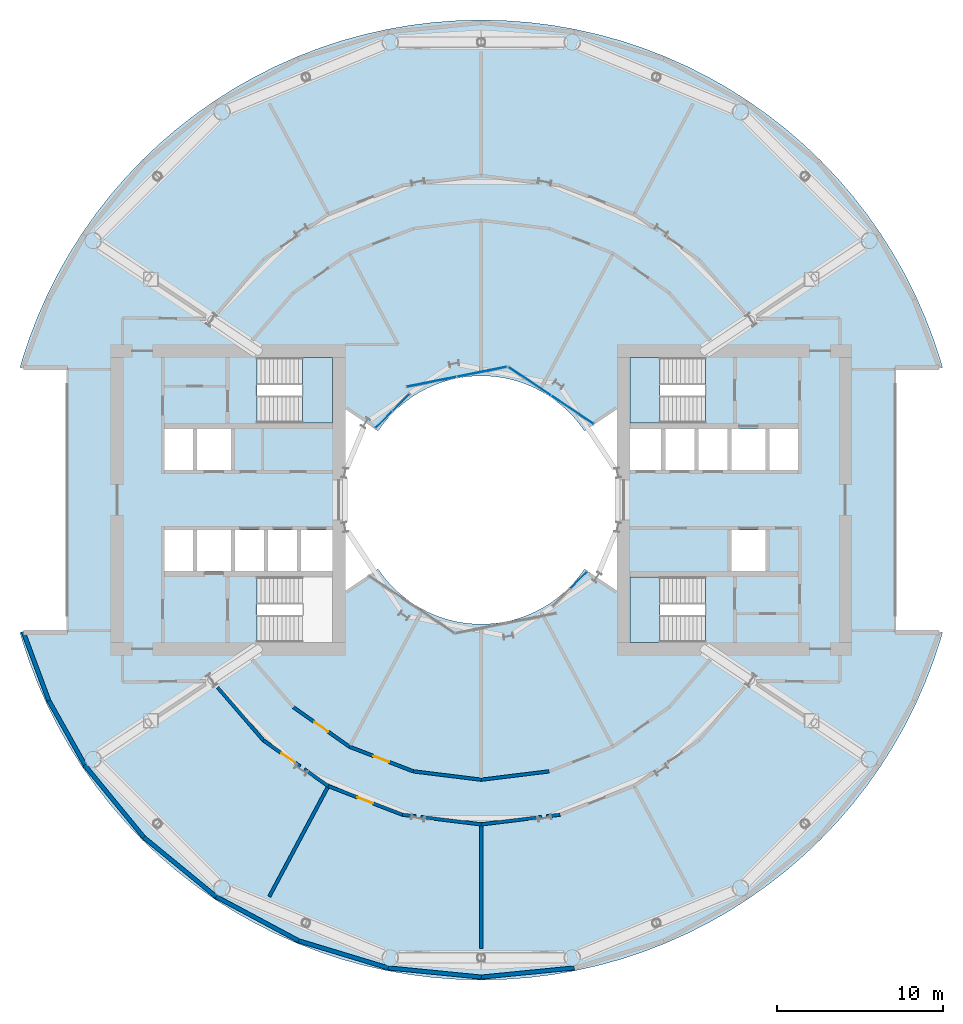
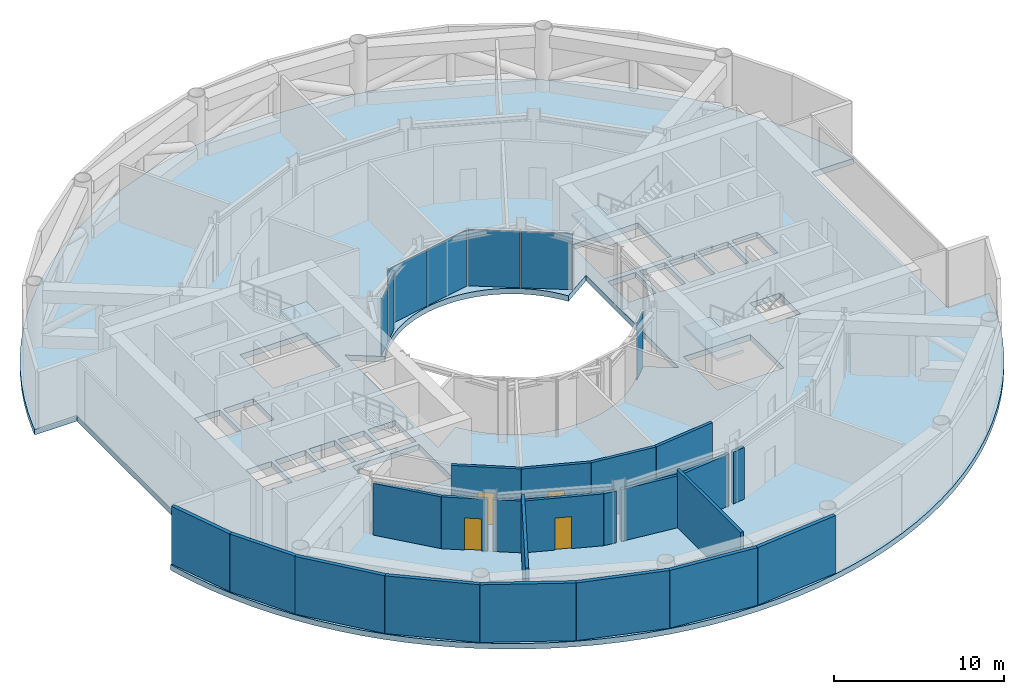
# One storey, part 9 of 15: 22 walls, 7 plates, 4 doors, 4 slabs, 4 openings, 7 elements without a shape of their own.
"""IFC4 building model written with IfcOpenShell, lengths in metres."""

from ifc_helpers import new_model, si_unit, direction, frame, frame_2d, origin, origin_2d, place, context, subcontext, project, spatial, polyline, rectangle, outline, extrude, material, layer, layer_set, type_object, element, fill, aggregate, save


model = new_model("IFC4")

# Units and contexts
model_context = context("Model", 3, precision=1e-05, world=origin(), true_north=direction((0.0, 1.0)))
body_context = subcontext(model_context, "Body", "Model", "MODEL_VIEW")
ifc_project = project(units=[si_unit("LENGTHUNIT", "METRE"), si_unit("AREAUNIT", "SQUARE_METRE"), si_unit("VOLUMEUNIT", "CUBIC_METRE"), si_unit("PLANEANGLEUNIT", "RADIAN"), si_unit("MASSUNIT", "GRAM", prefix="KILO")], contexts=[model_context])

# Site, building, storey
site_placement = place(None, origin())
site = spatial("IfcSite", under=ifc_project, at=site_placement, CompositionType="ELEMENT")
building_placement = place(site_placement, origin())
building = spatial("IfcBuilding", under=site, at=building_placement, Name="Maasbend Ring Residences", CompositionType="ELEMENT")
storey_placement = place(building_placement, frame((0.0, 0.0, 18.300048828125)))
storey = spatial("IfcBuildingStorey", under=building, at=storey_placement, Name="L04", CompositionType="ELEMENT", Elevation=18.300048828125)

# Stair, slab
ifc_material_1 = material(Name="Concrete C40/50", Category="concrete")
stair_type = type_object("IfcStairType", Name="CORE STAIR 24 RISERS", PredefinedType="HALF_TURN_STAIR", material=ifc_material_1)
stair_1_placement = place(storey_placement, origin())
stair_1 = element("IfcStair", 1, at=stair_1_placement, inside=storey, type_object=stair_type, Name="L04 Exit stair ST-E1", PredefinedType="HALF_TURN_STAIR")
ifc_material_2 = material(Name="Concrete C40/50", Category="concrete")
ifc_layer_1 = layer(ifc_material_2, 0.199951171875)
ifc_layer_set_1 = layer_set([ifc_layer_1], Name="Concrete C40/50")
slab_type_1 = type_object("IfcSlabType", Name="CORE STAIR LANDING 200", PredefinedType="LANDING", material=ifc_layer_set_1)
slab_1_placement = place(storey_placement, frame((0.0, 0.0, 2.050048828125)))
slab_1 = element("IfcSlab", 2, at=slab_1_placement, type_object=slab_type_1, Name="ST-E1 landing 1", PredefinedType="LANDING", context=body_context, shape_type="SweptSolid", body=[
    extrude(outline(polyline([(10.800048828125, 8.60009765625), (9.0, 8.60009765625), (9.0, 4.64990234375), (10.800048828125, 4.64990234375), (10.800048828125, 8.60009765625)])), origin(), (0.0, 0.0, 1.0), 0.199951171875),
])
aggregate(stair_1, [slab_1])

stair_2_placement = place(storey_placement, origin())
stair_2 = element("IfcStair", 3, at=stair_2_placement, inside=storey, type_object=stair_type, Name="L04 Exit stair ST-E2", PredefinedType="HALF_TURN_STAIR")
slab_2_placement = place(storey_placement, frame((0.0, 0.0, 2.050048828125)))
slab_2 = element("IfcSlab", 4, at=slab_2_placement, type_object=slab_type_1, Name="ST-E2 landing 1", PredefinedType="LANDING", context=body_context, shape_type="SweptSolid", body=[
    extrude(outline(polyline([(10.800048828125, -4.64990234375), (9.0, -4.64990234375), (9.0, -8.60009765625), (10.800048828125, -8.60009765625), (10.800048828125, -4.64990234375)])), origin(), (0.0, 0.0, 1.0), 0.199951171875),
])
aggregate(stair_2, [slab_2])

stair_3_placement = place(storey_placement, origin())
stair_3 = element("IfcStair", 5, at=stair_3_placement, inside=storey, type_object=stair_type, Name="L04 Exit stair ST-W2", PredefinedType="HALF_TURN_STAIR")
slab_3_placement = place(storey_placement, frame((0.0, 0.0, 2.050048828125)))
slab_3 = element("IfcSlab", 6, at=slab_3_placement, type_object=slab_type_1, Name="ST-W2 landing 1", PredefinedType="LANDING", context=body_context, shape_type="SweptSolid", body=[
    extrude(outline(polyline([(-10.800048828125, 4.64990234375), (-9.0, 4.64990234375), (-9.0, 8.60009765625), (-10.800048828125, 8.60009765625), (-10.800048828125, 4.64990234375)])), origin(), (0.0, 0.0, 1.0), 0.199951171875),
])
aggregate(stair_3, [slab_3])

# Curtain wall, plates
ifc_material_3 = material(Name="Aluminium and clear glass", Category="aluminium")
ifc_layer_2 = layer(ifc_material_3, 0.179931640625)
ifc_layer_set_2 = layer_set([ifc_layer_2], Name="CW-W")
curtain_wall_type = type_object("IfcCurtainWallType", Name="CW-W", PredefinedType="NOTDEFINED", material=ifc_layer_set_2)
curtain_wall_1_placement = place(storey_placement, origin())
curtain_wall_1 = element("IfcCurtainWall", 7, at=curtain_wall_1_placement, inside=storey, type_object=curtain_wall_type, Name="Well curtain wall N1", PredefinedType="NOTDEFINED")
ifc_material_4 = material(Name="Glass clear laminated", Category="glass")
ifc_layer_3 = layer(ifc_material_4, 0.031982421875)
ifc_layer_set_3 = layer_set([ifc_layer_3], Name="CWP-W")
plate_type = type_object("IfcPlateType", Name="CWP-W", PredefinedType="CURTAIN_PANEL", material=ifc_layer_set_3)
plate_1_placement = place(storey_placement, frame((5.51123046875, 5.44580078125, 0.0), z_axis=(0.0, 0.0, 1.0), x_axis=(-0.831469612303, 0.55557023302, 0.0)))
plate_1 = element("IfcPlate", 8, at=plate_1_placement, type_object=plate_type, Name="Glass panel well face", PredefinedType="CURTAIN_PANEL", context=body_context, shape_type="SweptSolid", body=[
    extrude(rectangle(XDim=3.053955078125, YDim=0.031982421875, at=origin_2d()), origin(), (0.0, 0.0, 1.0), 4.030029296875),
])
plate_2_placement = place(storey_placement, frame((2.922119140625, 7.17578125, 0.0), z_axis=(0.0, 0.0, 1.0), x_axis=(-0.831469612303, 0.55557023302, 0.0)))
plate_2 = element("IfcPlate", 9, at=plate_2_placement, type_object=plate_type, Name="Glass panel well face", PredefinedType="CURTAIN_PANEL", context=body_context, shape_type="SweptSolid", body=[
    extrude(rectangle(XDim=3.053955078125, YDim=0.031982421875, at=origin_2d()), origin(), (0.0, 0.0, 1.0), 4.030029296875),
])
aggregate(curtain_wall_1, [plate_1, plate_2])

curtain_wall_2_placement = place(storey_placement, origin())
curtain_wall_2 = element("IfcCurtainWall", 10, at=curtain_wall_2_placement, inside=storey, type_object=curtain_wall_type, Name="Well curtain wall N2", PredefinedType="NOTDEFINED")
plate_3_placement = place(storey_placement, frame((0.04638671875, 7.747802734375, 0.0), z_axis=(0.0, 0.0, 1.0), x_axis=(-0.980785280403, -0.195090322016, 0.0)))
plate_3 = element("IfcPlate", 11, at=plate_3_placement, type_object=plate_type, Name="Glass panel well face", PredefinedType="CURTAIN_PANEL", context=body_context, shape_type="SweptSolid", body=[
    extrude(rectangle(XDim=3.053955078125, YDim=0.031982421875, at=origin_2d()), origin(), (0.0, 0.0, 1.0), 4.030029296875),
])
plate_4_placement = place(storey_placement, frame((-3.0078125, 7.140380859375, 0.0), z_axis=(0.0, 0.0, 1.0), x_axis=(-0.980785280403, -0.195090322016, 0.0)))
plate_4 = element("IfcPlate", 12, at=plate_4_placement, type_object=plate_type, Name="Glass panel well face", PredefinedType="CURTAIN_PANEL", context=body_context, shape_type="SweptSolid", body=[
    extrude(rectangle(XDim=3.053955078125, YDim=0.031982421875, at=origin_2d()), origin(), (0.0, 0.0, 1.0), 4.030029296875),
])
aggregate(curtain_wall_2, [plate_3, plate_4])

curtain_wall_3_placement = place(storey_placement, origin())
curtain_wall_3 = element("IfcCurtainWall", 13, at=curtain_wall_3_placement, inside=storey, type_object=curtain_wall_type, Name="Well curtain wall N3", PredefinedType="NOTDEFINED")
plate_5_placement = place(storey_placement, frame((-4.84375, 5.89013671875, 0.0), z_axis=(0.0, 0.0, 1.0), x_axis=(-0.707106781187, -0.707106781187, 0.0)))
plate_5 = element("IfcPlate", 14, at=plate_5_placement, type_object=plate_type, Name="Glass panel well face", PredefinedType="CURTAIN_PANEL", context=body_context, shape_type="SweptSolid", body=[
    extrude(rectangle(XDim=1.419677734375, YDim=0.031982421875, at=origin_2d()), origin(), (0.0, 0.0, 1.0), 4.030029296875),
])
plate_6_placement = place(storey_placement, frame((-5.89013671875, 4.84375, 0.0), z_axis=(0.0, 0.0, 1.0), x_axis=(-0.707106781187, -0.707106781187, 0.0)))
plate_6 = element("IfcPlate", 15, at=plate_6_placement, type_object=plate_type, Name="Glass panel well face", PredefinedType="CURTAIN_PANEL", context=body_context, shape_type="SweptSolid", body=[
    extrude(rectangle(XDim=1.419677734375, YDim=0.031982421875, at=origin_2d()), origin(), (0.0, 0.0, 1.0), 4.030029296875),
])
aggregate(curtain_wall_3, [plate_5, plate_6])

# Curtain wall, plate
curtain_wall_4_placement = place(storey_placement, origin())
curtain_wall_4 = element("IfcCurtainWall", 16, at=curtain_wall_4_placement, inside=storey, type_object=curtain_wall_type, Name="Well curtain wall S3", PredefinedType="NOTDEFINED")
plate_7_placement = place(storey_placement, frame((5.89013671875, -4.84375, 0.0), z_axis=(0.0, 0.0, 1.0), x_axis=(0.707106781187, 0.707106781187, 0.0)))
plate_7 = element("IfcPlate", 17, at=plate_7_placement, type_object=plate_type, Name="Glass panel well face", PredefinedType="CURTAIN_PANEL", context=body_context, shape_type="SweptSolid", body=[
    extrude(rectangle(XDim=1.419677734375, YDim=0.031982421875, at=origin_2d()), origin(), (0.0, 0.0, 1.0), 4.030029296875),
])
aggregate(curtain_wall_4, [plate_7])

# Slab
ifc_material_5 = material(Name="Concrete C40/50", Category="concrete")
ifc_layer_4 = layer(ifc_material_5, 0.39990234375)
ifc_layer_set_4 = layer_set([ifc_layer_4], Name="Concrete C40/50")
slab_type_2 = type_object("IfcSlabType", Name="Post-tensioned flat plate 400", PredefinedType="FLOOR", material=ifc_layer_set_4)
slab_4_placement = place(storey_placement, frame((0.0, 0.0, -0.400146484375)))
element("IfcSlab", 18, at=slab_4_placement, inside=storey, type_object=slab_type_2, Name="Floor slab L04", PredefinedType="FLOOR", context=body_context, shape_type="SweptSolid", body=[
    extrude(outline(polyline([(26.2158203125, -12.399169921875), (26.79248046875, -11.097900390625), (27.3046875, -9.769775390625), (27.751220703125, -8.418212890625), (27.866943359375, -8.0), (25.0, -8.0), (25.0, 8.0), (27.866943359375, 8.0), (27.751220703125, 8.418212890625), (27.3046875, 9.769775390625), (26.79248046875, 11.097900390625), (26.2158203125, 12.399169921875), (25.57568359375, 13.67041015625), (24.8740234375, 14.908935546875), (24.112548828125, 16.111572265625), (23.29296875, 17.275390625), (22.417236328125, 18.3974609375), (21.487548828125, 19.47509765625), (20.506103515625, 20.506103515625), (19.47509765625, 21.487548828125), (18.3974609375, 22.417236328125), (17.275390625, 23.29296875), (16.111572265625, 24.112548828125), (14.908935546875, 24.8740234375), (13.67041015625, 25.57568359375), (12.399169921875, 26.2158203125), (11.097900390625, 26.79248046875), (9.769775390625, 27.3046875), (8.418212890625, 27.751220703125), (7.04638671875, 28.130859375), (5.65771484375, 28.44287109375), (4.255126953125, 28.68603515625), (2.842529296875, 28.8603515625), (1.423095703125, 28.965087890625), (0.0, 29.0), (-1.423095703125, 28.965087890625), (-2.842529296875, 28.8603515625), (-4.255126953125, 28.68603515625), (-5.65771484375, 28.44287109375), (-7.04638671875, 28.130859375), (-8.418212890625, 27.751220703125), (-9.769775390625, 27.3046875), (-11.097900390625, 26.79248046875), (-12.399169921875, 26.2158203125), (-13.67041015625, 25.57568359375), (-14.908935546875, 24.8740234375), (-16.111572265625, 24.112548828125), (-17.275390625, 23.29296875), (-18.3974609375, 22.417236328125), (-19.47509765625, 21.487548828125), (-20.506103515625, 20.506103515625), (-21.487548828125, 19.47509765625), (-22.417236328125, 18.3974609375), (-23.29296875, 17.275390625), (-24.112548828125, 16.111572265625), (-24.8740234375, 14.908935546875), (-25.57568359375, 13.67041015625), (-26.2158203125, 12.399169921875), (-26.79248046875, 11.097900390625), (-27.3046875, 9.769775390625), (-27.751220703125, 8.418212890625), (-27.866943359375, 8.0), (-25.0, 8.0), (-25.0, -8.0), (-27.866943359375, -8.0), (-27.751220703125, -8.418212890625), (-27.3046875, -9.769775390625), (-26.79248046875, -11.097900390625), (-26.2158203125, -12.399169921875), (-25.57568359375, -13.67041015625), (-24.8740234375, -14.908935546875), (-24.112548828125, -16.111572265625), (-23.29296875, -17.275390625), (-22.417236328125, -18.3974609375), (-21.487548828125, -19.47509765625), (-20.506103515625, -20.506103515625), (-19.47509765625, -21.487548828125), (-18.3974609375, -22.417236328125), (-17.275390625, -23.29296875), (-16.111572265625, -24.112548828125), (-14.908935546875, -24.8740234375), (-13.67041015625, -25.57568359375), (-12.399169921875, -26.2158203125), (-11.097900390625, -26.79248046875), (-9.769775390625, -27.3046875), (-8.418212890625, -27.751220703125), (-7.04638671875, -28.130859375), (-5.65771484375, -28.44287109375), (-4.255126953125, -28.68603515625), (-2.842529296875, -28.8603515625), (-1.423095703125, -28.965087890625), (0.0, -29.0), (1.423095703125, -28.965087890625), (2.842529296875, -28.8603515625), (4.255126953125, -28.68603515625), (5.65771484375, -28.44287109375), (7.04638671875, -28.130859375), (8.418212890625, -27.751220703125), (9.769775390625, -27.3046875), (11.097900390625, -26.79248046875), (12.399169921875, -26.2158203125), (13.67041015625, -25.57568359375), (14.908935546875, -24.8740234375), (16.111572265625, -24.112548828125), (17.275390625, -23.29296875), (18.3974609375, -22.417236328125), (19.47509765625, -21.487548828125), (20.506103515625, -20.506103515625), (21.487548828125, -19.47509765625), (22.417236328125, -18.3974609375), (23.29296875, -17.275390625), (24.112548828125, -16.111572265625), (24.8740234375, -14.908935546875), (25.57568359375, -13.67041015625), (26.2158203125, -12.399169921875)]), holes=[polyline([(17.425048828125, 4.27490234375), (19.14990234375, 4.27490234375), (19.14990234375, 1.824951171875), (17.425048828125, 1.824951171875), (17.425048828125, 4.27490234375)]), polyline([(15.125, 1.824951171875), (15.125, 4.27490234375), (17.175048828125, 4.27490234375), (17.175048828125, 1.824951171875), (15.125, 1.824951171875)]), polyline([(15.125, -4.27490234375), (15.125, -1.824951171875), (17.175048828125, -1.824951171875), (17.175048828125, -4.27490234375), (15.125, -4.27490234375)]), polyline([(13.125, 1.824951171875), (13.125, 4.27490234375), (14.875, 4.27490234375), (14.875, 1.824951171875), (13.125, 1.824951171875)]), polyline([(13.550048828125, 4.64990234375), (9.0, 4.64990234375), (9.0, 8.60009765625), (13.550048828125, 8.60009765625), (13.550048828125, 4.64990234375)]), polyline([(13.550048828125, -4.64990234375), (13.550048828125, -8.60009765625), (9.0, -8.60009765625), (9.0, -4.64990234375), (13.550048828125, -4.64990234375)]), polyline([(11.125, 1.824951171875), (11.125, 4.27490234375), (12.875, 4.27490234375), (12.875, 1.824951171875), (11.125, 1.824951171875)]), polyline([(9.0, 1.824951171875), (9.0, 4.27490234375), (10.875, 4.27490234375), (10.875, 1.824951171875), (9.0, 1.824951171875)]), polyline([(6.024169921875, 4.4677734375), (6.236083984375, 4.166748046875), (8.199951171875, 5.47900390625), (8.199951171875, -5.47900390625), (6.236083984375, -4.166748046875), (6.024169921875, -4.4677734375), (5.797607421875, -4.7578125), (5.55712890625, -5.03662109375), (5.30322265625, -5.30322265625), (5.03662109375, -5.55712890625), (4.7578125, -5.797607421875), (4.4677734375, -6.024169921875), (4.166748046875, -6.236083984375), (3.855712890625, -6.43310546875), (3.535400390625, -6.614501953125), (3.206787109375, -6.77978515625), (2.8701171875, -6.92919921875), (2.526611328125, -7.0615234375), (2.177001953125, -7.177001953125), (1.822509765625, -7.275146484375), (1.463134765625, -7.35595703125), (1.1005859375, -7.418701171875), (0.735107421875, -7.4638671875), (0.367919921875, -7.490966796875), (0.0, -7.5), (-0.367919921875, -7.490966796875), (-0.735107421875, -7.4638671875), (-1.1005859375, -7.418701171875), (-1.463134765625, -7.35595703125), (-1.822509765625, -7.275146484375), (-2.177001953125, -7.177001953125), (-2.526611328125, -7.0615234375), (-2.8701171875, -6.92919921875), (-3.206787109375, -6.77978515625), (-3.535400390625, -6.614501953125), (-3.855712890625, -6.43310546875), (-4.166748046875, -6.236083984375), (-4.4677734375, -6.024169921875), (-4.7578125, -5.797607421875), (-5.03662109375, -5.55712890625), (-5.30322265625, -5.30322265625), (-5.55712890625, -5.03662109375), (-5.797607421875, -4.7578125), (-6.024169921875, -4.4677734375), (-6.236083984375, -4.166748046875), (-8.199951171875, -5.47900390625), (-8.199951171875, 5.47900390625), (-6.236083984375, 4.166748046875), (-6.236083984375, 4.166748046875), (-6.024169921875, 4.4677734375), (-5.797607421875, 4.7578125), (-5.55712890625, 5.03662109375), (-5.30322265625, 5.30322265625), (-5.03662109375, 5.55712890625), (-4.7578125, 5.797607421875), (-4.4677734375, 6.024169921875), (-4.166748046875, 6.236083984375), (-3.855712890625, 6.43310546875), (-3.535400390625, 6.614501953125), (-3.206787109375, 6.77978515625), (-2.8701171875, 6.92919921875), (-2.526611328125, 7.0615234375), (-2.177001953125, 7.177001953125), (-1.822509765625, 7.275146484375), (-1.463134765625, 7.35595703125), (-1.1005859375, 7.418701171875), (-0.735107421875, 7.4638671875), (-0.367919921875, 7.490966796875), (0.0, 7.5), (0.367919921875, 7.490966796875), (0.735107421875, 7.4638671875), (1.1005859375, 7.418701171875), (1.463134765625, 7.35595703125), (1.822509765625, 7.275146484375), (2.177001953125, 7.177001953125), (2.526611328125, 7.0615234375), (2.8701171875, 6.92919921875), (3.206787109375, 6.77978515625), (3.535400390625, 6.614501953125), (3.855712890625, 6.43310546875), (4.166748046875, 6.236083984375), (4.4677734375, 6.024169921875), (4.7578125, 5.797607421875), (5.03662109375, 5.55712890625), (5.30322265625, 5.30322265625), (5.55712890625, 5.03662109375), (5.797607421875, 4.7578125), (6.024169921875, 4.4677734375)]), polyline([(-13.550048828125, 4.64990234375), (-13.550048828125, 8.60009765625), (-9.0, 8.60009765625), (-9.0, 4.64990234375), (-13.550048828125, 4.64990234375)]), polyline([(-13.550048828125, -8.60009765625), (-13.550048828125, -4.64990234375), (-9.0, -4.64990234375), (-9.0, -8.60009765625), (-13.550048828125, -8.60009765625)]), polyline([(-9.0, -1.824951171875), (-9.0, -4.27490234375), (-10.875, -4.27490234375), (-10.875, -1.824951171875), (-9.0, -1.824951171875)]), polyline([(-11.125, -1.824951171875), (-11.125, -4.27490234375), (-12.875, -4.27490234375), (-12.875, -1.824951171875), (-11.125, -1.824951171875)]), polyline([(-13.125, -1.824951171875), (-13.125, -4.27490234375), (-14.875, -4.27490234375), (-14.875, -1.824951171875), (-13.125, -1.824951171875)]), polyline([(-15.125, 4.27490234375), (-15.125, 1.824951171875), (-17.175048828125, 1.824951171875), (-17.175048828125, 4.27490234375), (-15.125, 4.27490234375)]), polyline([(-15.125, -1.824951171875), (-15.125, -4.27490234375), (-17.175048828125, -4.27490234375), (-17.175048828125, -1.824951171875), (-15.125, -1.824951171875)]), polyline([(-17.425048828125, -1.824951171875), (-17.425048828125, -4.27490234375), (-19.14990234375, -4.27490234375), (-19.14990234375, -1.824951171875), (-17.425048828125, -1.824951171875)]), polyline([(-17.425048828125, 4.27490234375), (-17.425048828125, 1.824951171875), (-19.14990234375, 1.824951171875), (-19.14990234375, 4.27490234375), (-17.425048828125, 4.27490234375)])]), origin(), (0.0, 0.0, 1.0), 0.400146484375),
])

# Wall
ifc_material_6 = material(Name="Concrete C30/37", Category="concrete")
ifc_layer_5 = layer(ifc_material_6, 0.199951171875)
ifc_layer_set_5 = layer_set([ifc_layer_5], Name="Concrete C30/37")
wall_type_1 = type_object("IfcWallType", Name="COMPARTMENT WALL 200 CONCRETE", PredefinedType="PARTITIONING", material=ifc_layer_set_5)
wall_1_placement = place(storey_placement, frame((-15.93505859375, -11.30908203125, 0.0), z_axis=(0.0, 0.0, 1.0), x_axis=(0.653128497371, -0.757247097005, 0.0)))
element("IfcWall", 19, at=wall_1_placement, inside=storey, type_object=wall_type_1, Name="U-L04-w003", PredefinedType="PARTITIONING", context=body_context, shape_type="SweptSolid", body=[
    extrude(rectangle(XDim=4.244140625, YDim=0.199951171875, at=frame_2d((2.1220703125, 0.0))), origin(), (0.0, 0.0, 1.0), 3.72998046875),
])

# Wall, opening, door
wall_2_placement = place(storey_placement, frame((-13.1630859375, -14.52294921875, 0.0), z_axis=(0.0, 0.0, 1.0), x_axis=(0.817595540973, -0.575792958781, 0.0)))
wall_2 = element("IfcWall", 20, at=wall_2_placement, inside=storey, type_object=wall_type_1, Name="U-L04-w004", PredefinedType="PARTITIONING", context=body_context, shape_type="SweptSolid", body=[
    extrude(rectangle(XDim=2.72509765625, YDim=0.199951171875, at=frame_2d((1.362548828125, 0.0))), origin(), (0.0, 0.0, 1.0), 3.72998046875),
])
opening_1_placement = place(wall_2_placement, frame((1.35009765625, 0.0, 0.0)))
opening_1 = element("IfcOpeningElement", 21, at=opening_1_placement, cuts=wall_2, Name="Opening D-0409", PredefinedType="OPENING", context=body_context, shape_type="SweptSolid", body=[
    extrude(rectangle(XDim=1.0, YDim=2.300048828125, at=frame_2d((0.5, 1.14990234375))), frame((0.0, 0.10986328125, 0.0), z_axis=(0.0, -1.0, 0.0), x_axis=(1.0, 0.0, 0.0)), (0.0, 0.0, 1.0), 0.219970703125),
])
ifc_material_7 = material(Name="Steel, fire-rated, painted", Category="steel")
door_type = type_object("IfcDoorType", Name="PLANT DOOR 1000 X 2300 FIRE-RATED", OperationType="NOTDEFINED", PredefinedType="DOOR", material=ifc_material_7)
door_1_placement = place(opening_1_placement, origin())
door_1 = element("IfcDoor", 22, at=door_1_placement, inside=storey, type_object=door_type, Name="D-0409", OperationType="SINGLE_SWING_RIGHT", OverallHeight=2.300048828125, OverallWidth=1.0, PredefinedType="DOOR", context=body_context, shape_type="SweptSolid", body=[
    extrude(rectangle(XDim=1.0, YDim=2.300048828125, at=frame_2d((0.5, 1.14990234375))), frame((0.0, 0.02490234375, 0.0), z_axis=(0.0, -1.0, 0.0), x_axis=(1.0, 0.0, 0.0)), (0.0, 0.0, 1.0), 0.050048828125),
])
fill(opening_1, door_1)

# Wall
wall_3_placement = place(storey_placement, frame((-10.68701171875, -16.26708984375, 0.0), z_axis=(0.0, 0.0, 1.0), x_axis=(0.817849682833, -0.575431921508, 0.0)))
element("IfcWall", 23, at=wall_3_placement, inside=storey, type_object=wall_type_1, Name="U-L04-w005", PredefinedType="PARTITIONING", context=body_context, shape_type="SweptSolid", body=[
    extrude(rectangle(XDim=1.7705078125, YDim=0.199951171875, at=frame_2d((0.88525390625, 0.0))), origin(), (0.0, 0.0, 1.0), 3.72998046875),
])

# Wall, opening, door
wall_4_placement = place(storey_placement, frame((-9.239013671875, -17.285888671875, 0.0), z_axis=(0.0, 0.0, 1.0), x_axis=(0.932988479706, -0.359906233255, 0.0)))
wall_4 = element("IfcWall", 24, at=wall_4_placement, inside=storey, type_object=wall_type_1, Name="U-L04-w006", PredefinedType="PARTITIONING", context=body_context, shape_type="SweptSolid", body=[
    extrude(rectangle(XDim=4.798583984375, YDim=0.199951171875, at=frame_2d((2.3994140625, 0.0))), origin(), (0.0, 0.0, 1.0), 3.72998046875),
])
opening_2_placement = place(wall_4_placement, frame((1.89892578125, 0.0, 0.0)))
opening_2 = element("IfcOpeningElement", 25, at=opening_2_placement, cuts=wall_4, Name="Opening D-0410", PredefinedType="OPENING", context=body_context, shape_type="SweptSolid", body=[
    extrude(rectangle(XDim=1.0, YDim=2.300048828125, at=frame_2d((0.5, 1.14990234375))), frame((0.0, 0.10986328125, 0.0), z_axis=(0.0, -1.0, 0.0), x_axis=(1.0, 0.0, 0.0)), (0.0, 0.0, 1.0), 0.219970703125),
])
door_2_placement = place(opening_2_placement, origin())
door_2 = element("IfcDoor", 26, at=door_2_placement, inside=storey, type_object=door_type, Name="D-0410", OperationType="SINGLE_SWING_RIGHT", OverallHeight=2.300048828125, OverallWidth=1.0, PredefinedType="DOOR", context=body_context, shape_type="SweptSolid", body=[
    extrude(rectangle(XDim=1.0, YDim=2.300048828125, at=frame_2d((0.5, 1.14990234375))), frame((0.0, 0.02490234375, 0.0), z_axis=(0.0, -1.0, 0.0), x_axis=(1.0, 0.0, 0.0)), (0.0, 0.0, 1.0), 0.050048828125),
])
fill(opening_2, door_2)

# Walls
wall_5_placement = place(storey_placement, frame((-4.761962890625, -19.012939453125, 0.0), z_axis=(0.0, 0.0, 1.0), x_axis=(0.992521102393, -0.122073180119, 0.0)))
element("IfcWall", 27, at=wall_5_placement, inside=storey, type_object=wall_type_1, Name="U-L04-w007", PredefinedType="PARTITIONING", context=body_context, shape_type="SweptSolid", body=[
    extrude(rectangle(XDim=0.81201171875, YDim=0.199951171875, at=frame_2d((0.406005859375, 0.0))), origin(), (0.0, 0.0, 1.0), 3.72998046875),
])
for number, where, z_axis, x_axis, name in (
    (28, (-3.655029296875, -19.14990234375, 0.0), (0.0, 0.0, 1.0), (0.992499630302, -0.12224763331, 0.0), "U-L04-w008"),
    (29, (0.0, -19.60009765625, 0.0), (0.0, 0.0, 1.0), (0.992499630302, 0.12224763331, 0.0), "U-L04-w009"),
):
    element("IfcWall", number, at=place(storey_placement, frame(where, z_axis=z_axis, x_axis=x_axis)), inside=storey, type_object=wall_type_1, Name=name, PredefinedType="PARTITIONING", context=body_context, shape_type="SweptSolid", body=[
        extrude(rectangle(XDim=3.6826171875, YDim=0.199951171875, at=frame_2d((1.84130859375, 0.0))), origin(), (0.0, 0.0, 1.0), 3.72998046875),
    ])
wall_6_placement = place(storey_placement, frame((3.9560546875, -19.112060546875, 0.0), z_axis=(0.0, 0.0, 1.0), x_axis=(0.992521102393, 0.122073180119, 0.0)))
element("IfcWall", 30, at=wall_6_placement, inside=storey, type_object=wall_type_1, Name="U-L04-w010", PredefinedType="PARTITIONING", context=body_context, shape_type="SweptSolid", body=[
    extrude(rectangle(XDim=0.81201171875, YDim=0.199951171875, at=frame_2d((0.406005859375, 0.0))), origin(), (0.0, 0.0, 1.0), 3.72998046875),
])

# Wall, opening, door
wall_7_placement = place(storey_placement, frame((-11.34912109375, -12.52197265625, 0.0), z_axis=(0.0, 0.0, 1.0), x_axis=(0.817567680547, -0.575832517079, 0.0)))
wall_7 = element("IfcWall", 31, at=wall_7_placement, inside=storey, type_object=wall_type_1, Name="U-L04-w016", PredefinedType="PARTITIONING", context=body_context, shape_type="SweptSolid", body=[
    extrude(rectangle(XDim=4.13671875, YDim=0.199951171875, at=frame_2d((2.068359375, 0.0))), origin(), (0.0, 0.0, 1.0), 4.14990234375),
])
opening_3_placement = place(wall_7_placement, frame((1.568115234375, 0.0, 0.0)))
opening_3 = element("IfcOpeningElement", 32, at=opening_3_placement, cuts=wall_7, Name="Opening D-0413", PredefinedType="OPENING", context=body_context, shape_type="SweptSolid", body=[
    extrude(rectangle(XDim=1.0, YDim=2.300048828125, at=frame_2d((0.5, 1.14990234375))), frame((0.0, 0.10986328125, 0.0), z_axis=(0.0, -1.0, 0.0), x_axis=(1.0, 0.0, 0.0)), (0.0, 0.0, 1.0), 0.219970703125),
])
door_3_placement = place(opening_3_placement, origin())
door_3 = element("IfcDoor", 33, at=door_3_placement, inside=storey, type_object=door_type, Name="D-0413", OperationType="SINGLE_SWING_RIGHT", OverallHeight=2.300048828125, OverallWidth=1.0, PredefinedType="DOOR", context=body_context, shape_type="SweptSolid", body=[
    extrude(rectangle(XDim=1.0, YDim=2.300048828125, at=frame_2d((0.5, 1.14990234375))), frame((0.0, 0.02490234375, 0.0), z_axis=(0.0, -1.0, 0.0), x_axis=(1.0, 0.0, 0.0)), (0.0, 0.0, 1.0), 0.050048828125),
])
fill(opening_3, door_3)

wall_8_placement = place(storey_placement, frame((-7.967041015625, -14.904052734375, 0.0), z_axis=(0.0, 0.0, 1.0), x_axis=(0.932943640288, -0.360022449363, 0.0)))
wall_8 = element("IfcWall", 34, at=wall_8_placement, inside=storey, type_object=wall_type_1, Name="U-L04-w017", PredefinedType="PARTITIONING", context=body_context, shape_type="SweptSolid", body=[
    extrude(rectangle(XDim=4.138671875, YDim=0.199951171875, at=frame_2d((2.0693359375, 0.0))), origin(), (0.0, 0.0, 1.0), 4.14990234375),
])
opening_4_placement = place(wall_8_placement, frame((1.569091796875, 0.0, 0.0)))
opening_4 = element("IfcOpeningElement", 35, at=opening_4_placement, cuts=wall_8, Name="Opening D-0414", PredefinedType="OPENING", context=body_context, shape_type="SweptSolid", body=[
    extrude(rectangle(XDim=1.0, YDim=2.300048828125, at=frame_2d((0.5, 1.14990234375))), frame((0.0, 0.10986328125, 0.0), z_axis=(0.0, -1.0, 0.0), x_axis=(1.0, 0.0, 0.0)), (0.0, 0.0, 1.0), 0.219970703125),
])
door_4_placement = place(opening_4_placement, origin())
door_4 = element("IfcDoor", 36, at=door_4_placement, inside=storey, type_object=door_type, Name="D-0414", OperationType="SINGLE_SWING_LEFT", OverallHeight=2.300048828125, OverallWidth=1.0, PredefinedType="DOOR", context=body_context, shape_type="SweptSolid", body=[
    extrude(rectangle(XDim=1.0, YDim=2.300048828125, at=frame_2d((0.5, 1.14990234375))), frame((0.0, 0.02490234375, 0.0), z_axis=(0.0, -1.0, 0.0), x_axis=(1.0, 0.0, 0.0)), (0.0, 0.0, 1.0), 0.050048828125),
])
fill(opening_4, door_4)

# Walls
for number, where, z_axis, x_axis, name in (
    (37, (-4.10595703125, -16.39404296875, 0.0), (0.0, 0.0, 1.0), (0.992496033272, -0.122276833211, 0.0), "U-L04-w018"),
    (38, (0.0, -16.89990234375, 0.0), (0.0, 0.0, 1.0), (0.992496033272, 0.122276833211, 0.0), "U-L04-w019"),
):
    element("IfcWall", number, at=place(storey_placement, frame(where, z_axis=z_axis, x_axis=x_axis)), inside=storey, type_object=wall_type_1, Name=name, PredefinedType="PARTITIONING", context=body_context, shape_type="SweptSolid", body=[
        extrude(rectangle(XDim=4.136962890625, YDim=0.199951171875, at=frame_2d((2.068359375, 0.0))), origin(), (0.0, 0.0, 1.0), 4.14990234375),
    ])
wall_9_placement = place(storey_placement, frame((-12.81005859375, -23.966064453125, 0.0), z_axis=(0.0, 0.0, 1.0), x_axis=(0.471439510802, 0.881898399848, 0.0)))
element("IfcWall", 39, at=wall_9_placement, inside=storey, type_object=wall_type_1, Name="U-L04-w030", PredefinedType="PARTITIONING", context=body_context, shape_type="SweptSolid", body=[
    extrude(rectangle(XDim=7.57470703125, YDim=0.199951171875, at=frame_2d((3.787353515625, 0.0))), origin(), (0.0, 0.0, 1.0), 4.14990234375),
])
wall_10_placement = place(storey_placement, frame((0.0, -27.10791015625, 0.0), z_axis=(0.0, 0.0, 1.0), x_axis=(0.0, 1.0, 0.0)))
element("IfcWall", 40, at=wall_10_placement, inside=storey, type_object=wall_type_1, Name="U-L04-w033", PredefinedType="PARTITIONING", context=body_context, shape_type="SweptSolid", body=[
    extrude(rectangle(XDim=7.5078125, YDim=0.199951171875, at=frame_2d((3.75390625, 0.0))), origin(), (0.0, 0.0, 1.0), 4.14990234375),
])
ifc_material_8 = material(Name="Louvred aluminium panel", Category="aluminium")
ifc_layer_6 = layer(ifc_material_8, 0.25)
ifc_layer_set_6 = layer_set([ifc_layer_6], Name="EW-LV")
wall_type_2 = type_object("IfcWallType", Name="EW-LV", PredefinedType="SOLIDWALL", material=ifc_layer_set_6)
for number, where, z_axis, x_axis, name in (
    (41, (-23.967041015625, -16.013916015625, 0.0), (0.0, 0.0, 1.0), (0.634403999748, -0.773001659186, 0.0), "External wall S01"),
    (42, (-20.382080078125, -20.382080078125, 0.0), (0.0, 0.0, 1.0), (0.773001659186, -0.634403999748, 0.0), "External wall S02"),
):
    element("IfcWall", number, at=place(storey_placement, frame(where, z_axis=z_axis, x_axis=x_axis)), inside=storey, type_object=wall_type_2, Name=name, PredefinedType="SOLIDWALL", context=body_context, shape_type="SweptSolid", body=[
        extrude(rectangle(XDim=5.65087890625, YDim=0.25, at=frame_2d((2.825439453125, 0.0))), origin(), (0.0, 0.0, 1.0), 4.14990234375),
    ])
wall_11_placement = place(storey_placement, frame((-16.013916015625, -23.967041015625, 0.0), z_axis=(0.0, 0.0, 1.0), x_axis=(0.881874058161, -0.471485042756, 0.0)))
element("IfcWall", 43, at=wall_11_placement, inside=storey, type_object=wall_type_2, Name="External wall S03", PredefinedType="SOLIDWALL", context=body_context, shape_type="SweptSolid", body=[
    extrude(rectangle(XDim=5.650390625, YDim=0.25, at=frame_2d((2.8251953125, 0.0))), origin(), (0.0, 0.0, 1.0), 4.14990234375),
])
wall_12_placement = place(storey_placement, frame((-11.031005859375, -26.631103515625, 0.0), z_axis=(0.0, 0.0, 1.0), x_axis=(0.956969521741, -0.29018844646, 0.0)))
element("IfcWall", 44, at=wall_12_placement, inside=storey, type_object=wall_type_2, Name="External wall S04", PredefinedType="SOLIDWALL", context=body_context, shape_type="SweptSolid", body=[
    extrude(rectangle(XDim=5.651123046875, YDim=0.25, at=frame_2d((2.82568359375, 0.0))), origin(), (0.0, 0.0, 1.0), 4.14990234375),
])
for number, where, z_axis, x_axis, name in (
    (45, (-5.623046875, -28.27099609375, 0.0), (0.0, 0.0, 1.0), (0.995182425127, -0.098040505497, 0.0), "External wall S05"),
    (46, (0.0, -28.824951171875, 0.0), (0.0, 0.0, 1.0), (0.995182425127, 0.098040505497, 0.0), "External wall S06"),
):
    element("IfcWall", number, at=place(storey_placement, frame(where, z_axis=z_axis, x_axis=x_axis)), inside=storey, type_object=wall_type_2, Name=name, PredefinedType="SOLIDWALL", context=body_context, shape_type="SweptSolid", body=[
        extrude(rectangle(XDim=5.650146484375, YDim=0.25, at=frame_2d((2.8251953125, 0.0))), origin(), (0.0, 0.0, 1.0), 4.14990234375),
    ])
wall_13_placement = place(storey_placement, frame((-27.681884765625, -7.945068359375, 0.0), z_axis=(0.0, 0.0, 1.0), x_axis=(0.349247811493, -0.937030397675, 0.0)))
element("IfcWall", 47, at=wall_13_placement, inside=storey, type_object=wall_type_2, Name="Horn wall 3.1", PredefinedType="SOLIDWALL", context=body_context, shape_type="SweptSolid", body=[
    extrude(rectangle(XDim=4.4521484375, YDim=0.25, at=frame_2d((2.22607421875, 0.0))), origin(), (0.0, 0.0, 1.0), 4.14990234375),
])
wall_14_placement = place(storey_placement, frame((-26.126953125, -12.116943359375, 0.0), z_axis=(0.0, 0.0, 1.0), x_axis=(0.489696356642, -0.871893042919, 0.0)))
element("IfcWall", 48, at=wall_14_placement, inside=storey, type_object=wall_type_2, Name="Horn wall 3.2", PredefinedType="SOLIDWALL", context=body_context, shape_type="SweptSolid", body=[
    extrude(rectangle(XDim=4.45361328125, YDim=0.25, at=frame_2d((2.226806640625, 0.0))), origin(), (0.0, 0.0, 1.0), 4.14990234375),
])

save(model, "model.ifc")
